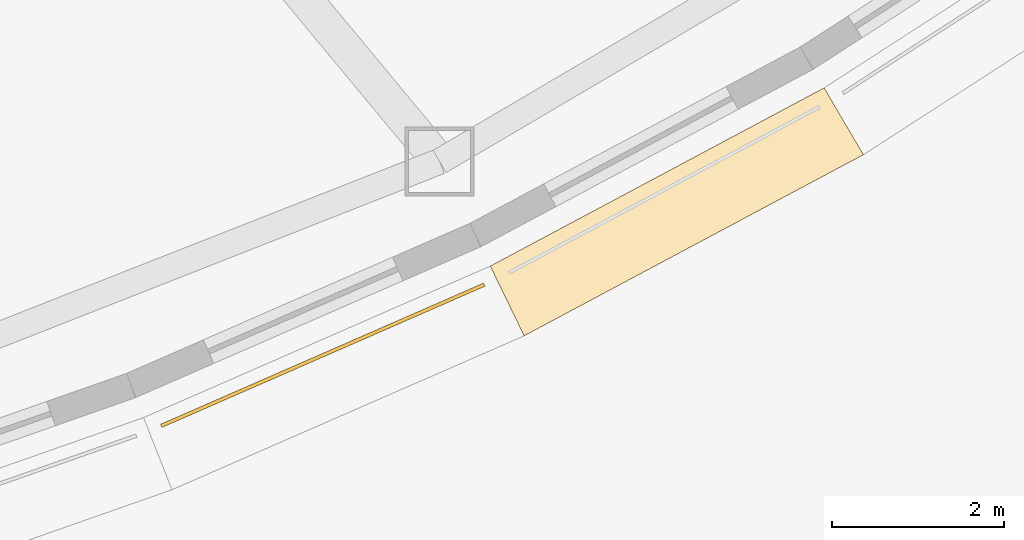
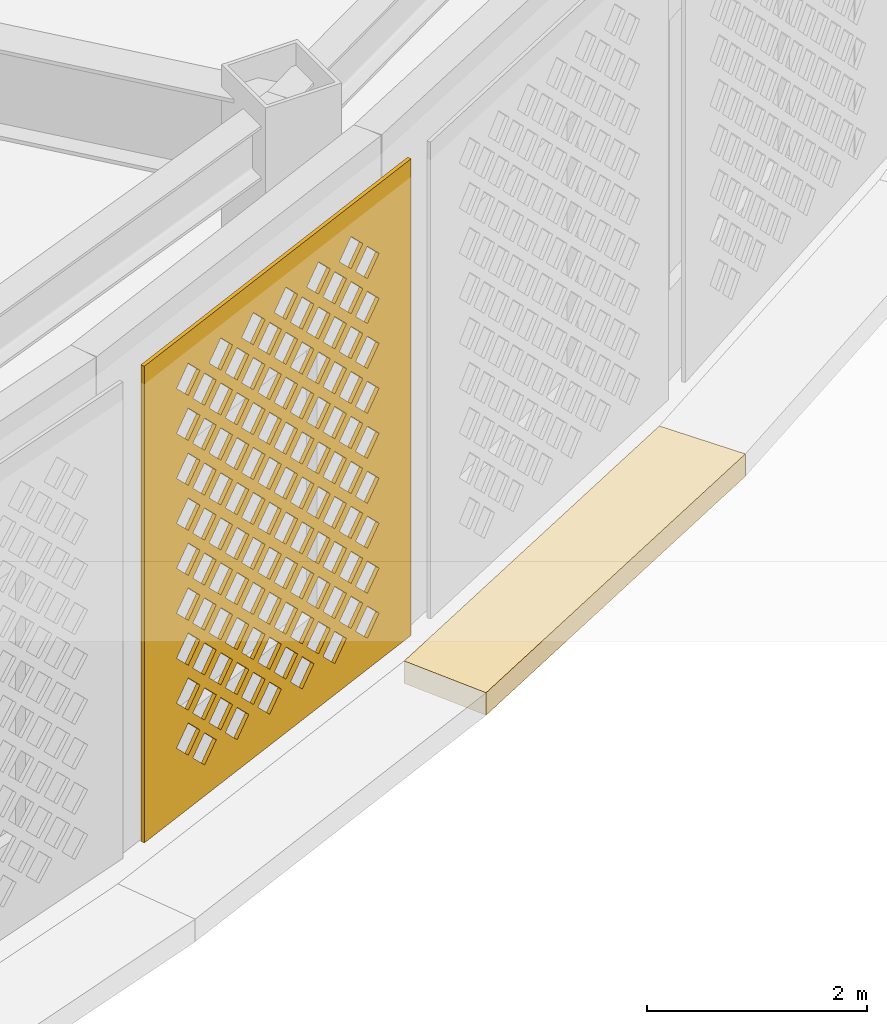
# One storey, part 63 of 74: 2 coverings.
"""IFC4 building model written with IfcOpenShell, lengths in metres."""

from ifc_helpers import new_model, si_unit, direction, frame, origin, place, context, subcontext, project, spatial, polyline, outline, extrude, material, layer, layer_set, type_object, element, save


model = new_model("IFC4")

# Units and contexts
model_context = context("Model", 3, precision=1e-05, world=origin(), true_north=direction((0.0, 1.0)))
body_context = subcontext(model_context, "Body", "Model", "MODEL_VIEW")
ifc_project = project(units=[si_unit("LENGTHUNIT", "METRE"), si_unit("AREAUNIT", "SQUARE_METRE"), si_unit("VOLUMEUNIT", "CUBIC_METRE"), si_unit("PLANEANGLEUNIT", "RADIAN"), si_unit("MASSUNIT", "GRAM", prefix="KILO")], contexts=[model_context])

# Site, building, storey
site_placement = place(None, origin())
site = spatial("IfcSite", under=ifc_project, at=site_placement, CompositionType="ELEMENT")
building_placement = place(site_placement, origin())
building = spatial("IfcBuilding", under=site, at=building_placement, Name="Noorbagh Ring Tower", CompositionType="ELEMENT")
storey_placement = place(building_placement, frame((0.0, 0.0, 7.5)))
storey = spatial("IfcBuildingStorey", under=building, at=storey_placement, Name="L01", CompositionType="ELEMENT", Elevation=7.5)

# Coverings
ifc_material_1 = material(Name="Red sandstone eave", Category="masonry")
covering_type_1 = type_object("IfcCoveringType", Name="STY-CHHAJJA", PredefinedType="USERDEFINED", material=ifc_material_1)
covering_1_placement = place(storey_placement, frame((0.0, 0.0, -0.25)))
element("IfcCovering", 1, at=covering_1_placement, inside=storey, type_object=covering_type_1, Name="Chhajja eave", ObjectType="CHHAJJA", PredefinedType="USERDEFINED", context=body_context, shape_type="SweptSolid", body=[
    extrude(outline(polyline([(27.67578125, -33.864013671875), (31.5546875, -31.793701171875), (32.011474609375, -32.56982421875), (28.068603515625, -34.674560546875), (27.67578125, -33.864013671875)])), origin(), (0.0, 0.0, 1.0), 0.25),
])
ifc_material_2 = material(Name="Red sandstone jali", Category="masonry")
ifc_layer = layer(ifc_material_2, 0.0400390625)
ifc_layer_set = layer_set([ifc_layer], Name="Red sandstone jali")
covering_type_2 = type_object("IfcCoveringType", Name="STY-JALI", PredefinedType="USERDEFINED", material=ifc_layer_set)
covering_2_placement = place(storey_placement, frame((23.860595703125, -35.73876953125, 0.449951171875), z_axis=(0.400468668207, -0.916310452731, 0.0), x_axis=(0.916310452731, 0.400468668207, 0.0)))
element("IfcCovering", 2, at=covering_2_placement, inside=storey, type_object=covering_type_2, Name="Jali screen", ObjectType="SCREEN", PredefinedType="USERDEFINED", context=body_context, shape_type="SweptSolid", body=[
    extrude(outline(polyline([(0.0, 0.0), (4.0966796875, 0.0), (4.0966796875, 5.300048828125), (0.0, 5.300048828125), (0.0, 0.0)]), holes=[polyline([(0.743408203125, 0.52490234375), (0.92333984375, 0.344970703125), (1.103515625, 0.52490234375), (0.92333984375, 0.705078125), (0.743408203125, 0.52490234375)]), polyline([(1.243408203125, 0.52490234375), (1.42333984375, 0.344970703125), (1.603515625, 0.52490234375), (1.42333984375, 0.705078125), (1.243408203125, 0.52490234375)]), polyline([(1.743408203125, 0.52490234375), (1.92333984375, 0.344970703125), (2.103515625, 0.52490234375), (1.92333984375, 0.705078125), (1.743408203125, 0.52490234375)]), polyline([(2.243408203125, 0.52490234375), (2.42333984375, 0.344970703125), (2.603515625, 0.52490234375), (2.42333984375, 0.705078125), (2.243408203125, 0.52490234375)]), polyline([(2.743408203125, 0.52490234375), (2.92333984375, 0.344970703125), (3.103515625, 0.52490234375), (2.92333984375, 0.705078125), (2.743408203125, 0.52490234375)]), polyline([(3.243408203125, 0.52490234375), (3.42333984375, 0.344970703125), (3.603515625, 0.52490234375), (3.42333984375, 0.705078125), (3.243408203125, 0.52490234375)]), polyline([(0.493408203125, 0.77490234375), (0.67333984375, 0.594970703125), (0.853515625, 0.77490234375), (0.67333984375, 0.955078125), (0.493408203125, 0.77490234375)]), polyline([(0.993408203125, 0.77490234375), (1.17333984375, 0.594970703125), (1.353515625, 0.77490234375), (1.17333984375, 0.955078125), (0.993408203125, 0.77490234375)]), polyline([(1.493408203125, 0.77490234375), (1.67333984375, 0.594970703125), (1.853515625, 0.77490234375), (1.67333984375, 0.955078125), (1.493408203125, 0.77490234375)]), polyline([(1.993408203125, 0.77490234375), (2.17333984375, 0.594970703125), (2.353515625, 0.77490234375), (2.17333984375, 0.955078125), (1.993408203125, 0.77490234375)]), polyline([(2.493408203125, 0.77490234375), (2.67333984375, 0.594970703125), (2.853515625, 0.77490234375), (2.67333984375, 0.955078125), (2.493408203125, 0.77490234375)]), polyline([(2.993408203125, 0.77490234375), (3.17333984375, 0.594970703125), (3.353515625, 0.77490234375), (3.17333984375, 0.955078125), (2.993408203125, 0.77490234375)]), polyline([(0.743408203125, 1.02490234375), (0.92333984375, 0.844970703125), (1.103515625, 1.02490234375), (0.92333984375, 1.205078125), (0.743408203125, 1.02490234375)]), polyline([(1.243408203125, 1.02490234375), (1.42333984375, 0.844970703125), (1.603515625, 1.02490234375), (1.42333984375, 1.205078125), (1.243408203125, 1.02490234375)]), polyline([(1.743408203125, 1.02490234375), (1.92333984375, 0.844970703125), (2.103515625, 1.02490234375), (1.92333984375, 1.205078125), (1.743408203125, 1.02490234375)]), polyline([(2.243408203125, 1.02490234375), (2.42333984375, 0.844970703125), (2.603515625, 1.02490234375), (2.42333984375, 1.205078125), (2.243408203125, 1.02490234375)]), polyline([(2.743408203125, 1.02490234375), (2.92333984375, 0.844970703125), (3.103515625, 1.02490234375), (2.92333984375, 1.205078125), (2.743408203125, 1.02490234375)]), polyline([(3.243408203125, 1.02490234375), (3.42333984375, 0.844970703125), (3.603515625, 1.02490234375), (3.42333984375, 1.205078125), (3.243408203125, 1.02490234375)]), polyline([(0.493408203125, 1.27490234375), (0.67333984375, 1.094970703125), (0.853515625, 1.27490234375), (0.67333984375, 1.455078125), (0.493408203125, 1.27490234375)]), polyline([(0.993408203125, 1.27490234375), (1.17333984375, 1.094970703125), (1.353515625, 1.27490234375), (1.17333984375, 1.455078125), (0.993408203125, 1.27490234375)]), polyline([(1.493408203125, 1.27490234375), (1.67333984375, 1.094970703125), (1.853515625, 1.27490234375), (1.67333984375, 1.455078125), (1.493408203125, 1.27490234375)]), polyline([(1.993408203125, 1.27490234375), (2.17333984375, 1.094970703125), (2.353515625, 1.27490234375), (2.17333984375, 1.455078125), (1.993408203125, 1.27490234375)]), polyline([(2.493408203125, 1.27490234375), (2.67333984375, 1.094970703125), (2.853515625, 1.27490234375), (2.67333984375, 1.455078125), (2.493408203125, 1.27490234375)]), polyline([(2.993408203125, 1.27490234375), (3.17333984375, 1.094970703125), (3.353515625, 1.27490234375), (3.17333984375, 1.455078125), (2.993408203125, 1.27490234375)]), polyline([(0.743408203125, 1.52490234375), (0.92333984375, 1.344970703125), (1.103515625, 1.52490234375), (0.92333984375, 1.705078125), (0.743408203125, 1.52490234375)]), polyline([(1.243408203125, 1.52490234375), (1.42333984375, 1.344970703125), (1.603515625, 1.52490234375), (1.42333984375, 1.705078125), (1.243408203125, 1.52490234375)]), polyline([(1.743408203125, 1.52490234375), (1.92333984375, 1.344970703125), (2.103515625, 1.52490234375), (1.92333984375, 1.705078125), (1.743408203125, 1.52490234375)]), polyline([(2.243408203125, 1.52490234375), (2.42333984375, 1.344970703125), (2.603515625, 1.52490234375), (2.42333984375, 1.705078125), (2.243408203125, 1.52490234375)]), polyline([(2.743408203125, 1.52490234375), (2.92333984375, 1.344970703125), (3.103515625, 1.52490234375), (2.92333984375, 1.705078125), (2.743408203125, 1.52490234375)]), polyline([(3.243408203125, 1.52490234375), (3.42333984375, 1.344970703125), (3.603515625, 1.52490234375), (3.42333984375, 1.705078125), (3.243408203125, 1.52490234375)]), polyline([(0.493408203125, 1.77490234375), (0.67333984375, 1.594970703125), (0.853515625, 1.77490234375), (0.67333984375, 1.955078125), (0.493408203125, 1.77490234375)]), polyline([(0.993408203125, 1.77490234375), (1.17333984375, 1.594970703125), (1.353515625, 1.77490234375), (1.17333984375, 1.955078125), (0.993408203125, 1.77490234375)]), polyline([(1.493408203125, 1.77490234375), (1.67333984375, 1.594970703125), (1.853515625, 1.77490234375), (1.67333984375, 1.955078125), (1.493408203125, 1.77490234375)]), polyline([(1.993408203125, 1.77490234375), (2.17333984375, 1.594970703125), (2.353515625, 1.77490234375), (2.17333984375, 1.955078125), (1.993408203125, 1.77490234375)]), polyline([(2.493408203125, 1.77490234375), (2.67333984375, 1.594970703125), (2.853515625, 1.77490234375), (2.67333984375, 1.955078125), (2.493408203125, 1.77490234375)]), polyline([(2.993408203125, 1.77490234375), (3.17333984375, 1.594970703125), (3.353515625, 1.77490234375), (3.17333984375, 1.955078125), (2.993408203125, 1.77490234375)]), polyline([(0.743408203125, 2.02490234375), (0.92333984375, 1.844970703125), (1.103515625, 2.02490234375), (0.92333984375, 2.205078125), (0.743408203125, 2.02490234375)]), polyline([(1.243408203125, 2.02490234375), (1.42333984375, 1.844970703125), (1.603515625, 2.02490234375), (1.42333984375, 2.205078125), (1.243408203125, 2.02490234375)]), polyline([(1.743408203125, 2.02490234375), (1.92333984375, 1.844970703125), (2.103515625, 2.02490234375), (1.92333984375, 2.205078125), (1.743408203125, 2.02490234375)]), polyline([(2.243408203125, 2.02490234375), (2.42333984375, 1.844970703125), (2.603515625, 2.02490234375), (2.42333984375, 2.205078125), (2.243408203125, 2.02490234375)]), polyline([(2.743408203125, 2.02490234375), (2.92333984375, 1.844970703125), (3.103515625, 2.02490234375), (2.92333984375, 2.205078125), (2.743408203125, 2.02490234375)]), polyline([(3.243408203125, 2.02490234375), (3.42333984375, 1.844970703125), (3.603515625, 2.02490234375), (3.42333984375, 2.205078125), (3.243408203125, 2.02490234375)]), polyline([(0.493408203125, 2.27490234375), (0.67333984375, 2.094970703125), (0.853515625, 2.27490234375), (0.67333984375, 2.455078125), (0.493408203125, 2.27490234375)]), polyline([(0.993408203125, 2.27490234375), (1.17333984375, 2.094970703125), (1.353515625, 2.27490234375), (1.17333984375, 2.455078125), (0.993408203125, 2.27490234375)]), polyline([(1.493408203125, 2.27490234375), (1.67333984375, 2.094970703125), (1.853515625, 2.27490234375), (1.67333984375, 2.455078125), (1.493408203125, 2.27490234375)]), polyline([(1.993408203125, 2.27490234375), (2.17333984375, 2.094970703125), (2.353515625, 2.27490234375), (2.17333984375, 2.455078125), (1.993408203125, 2.27490234375)]), polyline([(2.493408203125, 2.27490234375), (2.67333984375, 2.094970703125), (2.853515625, 2.27490234375), (2.67333984375, 2.455078125), (2.493408203125, 2.27490234375)]), polyline([(2.993408203125, 2.27490234375), (3.17333984375, 2.094970703125), (3.353515625, 2.27490234375), (3.17333984375, 2.455078125), (2.993408203125, 2.27490234375)]), polyline([(0.743408203125, 2.52490234375), (0.92333984375, 2.344970703125), (1.103515625, 2.52490234375), (0.92333984375, 2.705078125), (0.743408203125, 2.52490234375)]), polyline([(1.243408203125, 2.52490234375), (1.42333984375, 2.344970703125), (1.603515625, 2.52490234375), (1.42333984375, 2.705078125), (1.243408203125, 2.52490234375)]), polyline([(1.743408203125, 2.52490234375), (1.92333984375, 2.344970703125), (2.103515625, 2.52490234375), (1.92333984375, 2.705078125), (1.743408203125, 2.52490234375)]), polyline([(2.243408203125, 2.52490234375), (2.42333984375, 2.344970703125), (2.603515625, 2.52490234375), (2.42333984375, 2.705078125), (2.243408203125, 2.52490234375)]), polyline([(2.743408203125, 2.52490234375), (2.92333984375, 2.344970703125), (3.103515625, 2.52490234375), (2.92333984375, 2.705078125), (2.743408203125, 2.52490234375)]), polyline([(3.243408203125, 2.52490234375), (3.42333984375, 2.344970703125), (3.603515625, 2.52490234375), (3.42333984375, 2.705078125), (3.243408203125, 2.52490234375)]), polyline([(0.493408203125, 2.77490234375), (0.67333984375, 2.594970703125), (0.853515625, 2.77490234375), (0.67333984375, 2.955078125), (0.493408203125, 2.77490234375)]), polyline([(0.993408203125, 2.77490234375), (1.17333984375, 2.594970703125), (1.353515625, 2.77490234375), (1.17333984375, 2.955078125), (0.993408203125, 2.77490234375)]), polyline([(1.493408203125, 2.77490234375), (1.67333984375, 2.594970703125), (1.853515625, 2.77490234375), (1.67333984375, 2.955078125), (1.493408203125, 2.77490234375)]), polyline([(1.993408203125, 2.77490234375), (2.17333984375, 2.594970703125), (2.353515625, 2.77490234375), (2.17333984375, 2.955078125), (1.993408203125, 2.77490234375)]), polyline([(2.493408203125, 2.77490234375), (2.67333984375, 2.594970703125), (2.853515625, 2.77490234375), (2.67333984375, 2.955078125), (2.493408203125, 2.77490234375)]), polyline([(2.993408203125, 2.77490234375), (3.17333984375, 2.594970703125), (3.353515625, 2.77490234375), (3.17333984375, 2.955078125), (2.993408203125, 2.77490234375)]), polyline([(0.743408203125, 3.02490234375), (0.92333984375, 2.844970703125), (1.103515625, 3.02490234375), (0.92333984375, 3.205078125), (0.743408203125, 3.02490234375)]), polyline([(1.243408203125, 3.02490234375), (1.42333984375, 2.844970703125), (1.603515625, 3.02490234375), (1.42333984375, 3.205078125), (1.243408203125, 3.02490234375)]), polyline([(1.743408203125, 3.02490234375), (1.92333984375, 2.844970703125), (2.103515625, 3.02490234375), (1.92333984375, 3.205078125), (1.743408203125, 3.02490234375)]), polyline([(2.243408203125, 3.02490234375), (2.42333984375, 2.844970703125), (2.603515625, 3.02490234375), (2.42333984375, 3.205078125), (2.243408203125, 3.02490234375)]), polyline([(2.743408203125, 3.02490234375), (2.92333984375, 2.844970703125), (3.103515625, 3.02490234375), (2.92333984375, 3.205078125), (2.743408203125, 3.02490234375)]), polyline([(3.243408203125, 3.02490234375), (3.42333984375, 2.844970703125), (3.603515625, 3.02490234375), (3.42333984375, 3.205078125), (3.243408203125, 3.02490234375)]), polyline([(0.493408203125, 3.27490234375), (0.67333984375, 3.094970703125), (0.853515625, 3.27490234375), (0.67333984375, 3.455078125), (0.493408203125, 3.27490234375)]), polyline([(0.993408203125, 3.27490234375), (1.17333984375, 3.094970703125), (1.353515625, 3.27490234375), (1.17333984375, 3.455078125), (0.993408203125, 3.27490234375)]), polyline([(1.493408203125, 3.27490234375), (1.67333984375, 3.094970703125), (1.853515625, 3.27490234375), (1.67333984375, 3.455078125), (1.493408203125, 3.27490234375)]), polyline([(1.993408203125, 3.27490234375), (2.17333984375, 3.094970703125), (2.353515625, 3.27490234375), (2.17333984375, 3.455078125), (1.993408203125, 3.27490234375)]), polyline([(2.493408203125, 3.27490234375), (2.67333984375, 3.094970703125), (2.853515625, 3.27490234375), (2.67333984375, 3.455078125), (2.493408203125, 3.27490234375)]), polyline([(2.993408203125, 3.27490234375), (3.17333984375, 3.094970703125), (3.353515625, 3.27490234375), (3.17333984375, 3.455078125), (2.993408203125, 3.27490234375)]), polyline([(0.743408203125, 3.52490234375), (0.92333984375, 3.344970703125), (1.103515625, 3.52490234375), (0.92333984375, 3.705078125), (0.743408203125, 3.52490234375)]), polyline([(1.243408203125, 3.52490234375), (1.42333984375, 3.344970703125), (1.603515625, 3.52490234375), (1.42333984375, 3.705078125), (1.243408203125, 3.52490234375)]), polyline([(1.743408203125, 3.52490234375), (1.92333984375, 3.344970703125), (2.103515625, 3.52490234375), (1.92333984375, 3.705078125), (1.743408203125, 3.52490234375)]), polyline([(2.243408203125, 3.52490234375), (2.42333984375, 3.344970703125), (2.603515625, 3.52490234375), (2.42333984375, 3.705078125), (2.243408203125, 3.52490234375)]), polyline([(2.743408203125, 3.52490234375), (2.92333984375, 3.344970703125), (3.103515625, 3.52490234375), (2.92333984375, 3.705078125), (2.743408203125, 3.52490234375)]), polyline([(3.243408203125, 3.52490234375), (3.42333984375, 3.344970703125), (3.603515625, 3.52490234375), (3.42333984375, 3.705078125), (3.243408203125, 3.52490234375)]), polyline([(0.493408203125, 3.77490234375), (0.67333984375, 3.594970703125), (0.853515625, 3.77490234375), (0.67333984375, 3.955078125), (0.493408203125, 3.77490234375)]), polyline([(0.993408203125, 3.77490234375), (1.17333984375, 3.594970703125), (1.353515625, 3.77490234375), (1.17333984375, 3.955078125), (0.993408203125, 3.77490234375)]), polyline([(1.493408203125, 3.77490234375), (1.67333984375, 3.594970703125), (1.853515625, 3.77490234375), (1.67333984375, 3.955078125), (1.493408203125, 3.77490234375)]), polyline([(1.993408203125, 3.77490234375), (2.17333984375, 3.594970703125), (2.353515625, 3.77490234375), (2.17333984375, 3.955078125), (1.993408203125, 3.77490234375)]), polyline([(2.493408203125, 3.77490234375), (2.67333984375, 3.594970703125), (2.853515625, 3.77490234375), (2.67333984375, 3.955078125), (2.493408203125, 3.77490234375)]), polyline([(2.993408203125, 3.77490234375), (3.17333984375, 3.594970703125), (3.353515625, 3.77490234375), (3.17333984375, 3.955078125), (2.993408203125, 3.77490234375)]), polyline([(0.743408203125, 4.02490234375), (0.92333984375, 3.844970703125), (1.103515625, 4.02490234375), (0.92333984375, 4.205078125), (0.743408203125, 4.02490234375)]), polyline([(1.243408203125, 4.02490234375), (1.42333984375, 3.844970703125), (1.603515625, 4.02490234375), (1.42333984375, 4.205078125), (1.243408203125, 4.02490234375)]), polyline([(1.743408203125, 4.02490234375), (1.92333984375, 3.844970703125), (2.103515625, 4.02490234375), (1.92333984375, 4.205078125), (1.743408203125, 4.02490234375)]), polyline([(2.243408203125, 4.02490234375), (2.42333984375, 3.844970703125), (2.603515625, 4.02490234375), (2.42333984375, 4.205078125), (2.243408203125, 4.02490234375)]), polyline([(2.743408203125, 4.02490234375), (2.92333984375, 3.844970703125), (3.103515625, 4.02490234375), (2.92333984375, 4.205078125), (2.743408203125, 4.02490234375)]), polyline([(3.243408203125, 4.02490234375), (3.42333984375, 3.844970703125), (3.603515625, 4.02490234375), (3.42333984375, 4.205078125), (3.243408203125, 4.02490234375)]), polyline([(0.493408203125, 4.27490234375), (0.67333984375, 4.094970703125), (0.853515625, 4.27490234375), (0.67333984375, 4.455078125), (0.493408203125, 4.27490234375)]), polyline([(0.993408203125, 4.27490234375), (1.17333984375, 4.094970703125), (1.353515625, 4.27490234375), (1.17333984375, 4.455078125), (0.993408203125, 4.27490234375)]), polyline([(1.493408203125, 4.27490234375), (1.67333984375, 4.094970703125), (1.853515625, 4.27490234375), (1.67333984375, 4.455078125), (1.493408203125, 4.27490234375)]), polyline([(1.993408203125, 4.27490234375), (2.17333984375, 4.094970703125), (2.353515625, 4.27490234375), (2.17333984375, 4.455078125), (1.993408203125, 4.27490234375)]), polyline([(2.493408203125, 4.27490234375), (2.67333984375, 4.094970703125), (2.853515625, 4.27490234375), (2.67333984375, 4.455078125), (2.493408203125, 4.27490234375)]), polyline([(2.993408203125, 4.27490234375), (3.17333984375, 4.094970703125), (3.353515625, 4.27490234375), (3.17333984375, 4.455078125), (2.993408203125, 4.27490234375)]), polyline([(0.743408203125, 4.52490234375), (0.92333984375, 4.344970703125), (1.103515625, 4.52490234375), (0.92333984375, 4.705078125), (0.743408203125, 4.52490234375)]), polyline([(1.243408203125, 4.52490234375), (1.42333984375, 4.344970703125), (1.603515625, 4.52490234375), (1.42333984375, 4.705078125), (1.243408203125, 4.52490234375)]), polyline([(1.743408203125, 4.52490234375), (1.92333984375, 4.344970703125), (2.103515625, 4.52490234375), (1.92333984375, 4.705078125), (1.743408203125, 4.52490234375)]), polyline([(2.243408203125, 4.52490234375), (2.42333984375, 4.344970703125), (2.603515625, 4.52490234375), (2.42333984375, 4.705078125), (2.243408203125, 4.52490234375)]), polyline([(2.743408203125, 4.52490234375), (2.92333984375, 4.344970703125), (3.103515625, 4.52490234375), (2.92333984375, 4.705078125), (2.743408203125, 4.52490234375)]), polyline([(3.243408203125, 4.52490234375), (3.42333984375, 4.344970703125), (3.603515625, 4.52490234375), (3.42333984375, 4.705078125), (3.243408203125, 4.52490234375)]), polyline([(0.493408203125, 4.77490234375), (0.67333984375, 4.594970703125), (0.853515625, 4.77490234375), (0.67333984375, 4.955078125), (0.493408203125, 4.77490234375)]), polyline([(0.993408203125, 4.77490234375), (1.17333984375, 4.594970703125), (1.353515625, 4.77490234375), (1.17333984375, 4.955078125), (0.993408203125, 4.77490234375)]), polyline([(1.493408203125, 4.77490234375), (1.67333984375, 4.594970703125), (1.853515625, 4.77490234375), (1.67333984375, 4.955078125), (1.493408203125, 4.77490234375)]), polyline([(1.993408203125, 4.77490234375), (2.17333984375, 4.594970703125), (2.353515625, 4.77490234375), (2.17333984375, 4.955078125), (1.993408203125, 4.77490234375)]), polyline([(2.493408203125, 4.77490234375), (2.67333984375, 4.594970703125), (2.853515625, 4.77490234375), (2.67333984375, 4.955078125), (2.493408203125, 4.77490234375)]), polyline([(2.993408203125, 4.77490234375), (3.17333984375, 4.594970703125), (3.353515625, 4.77490234375), (3.17333984375, 4.955078125), (2.993408203125, 4.77490234375)])]), origin(), (0.0, 0.0, -1.0), 0.0400390625),
])

save(model, "model.ifc")
